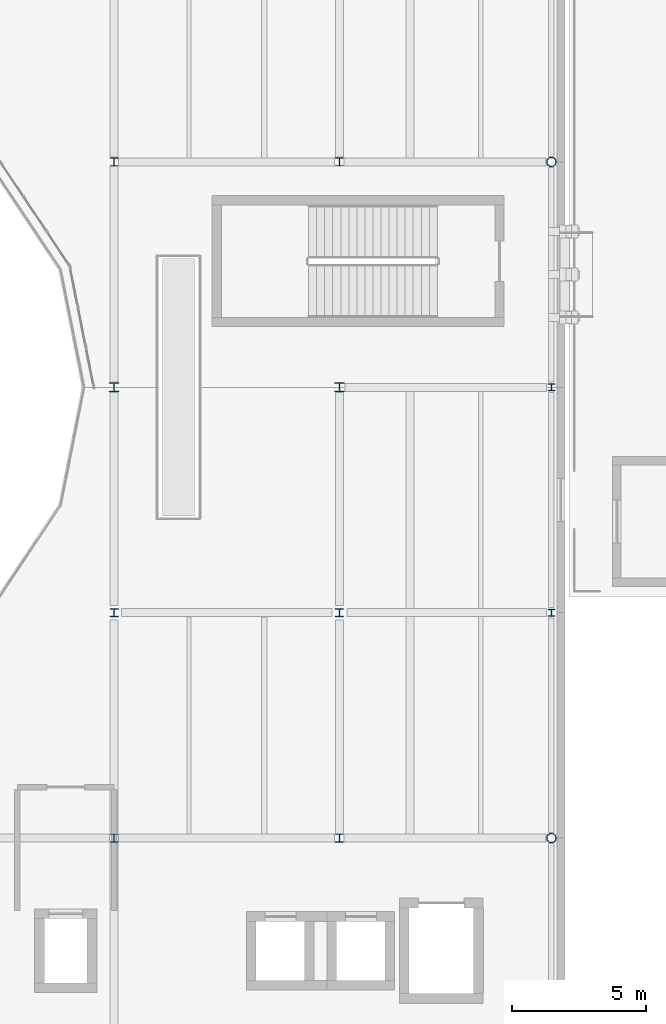
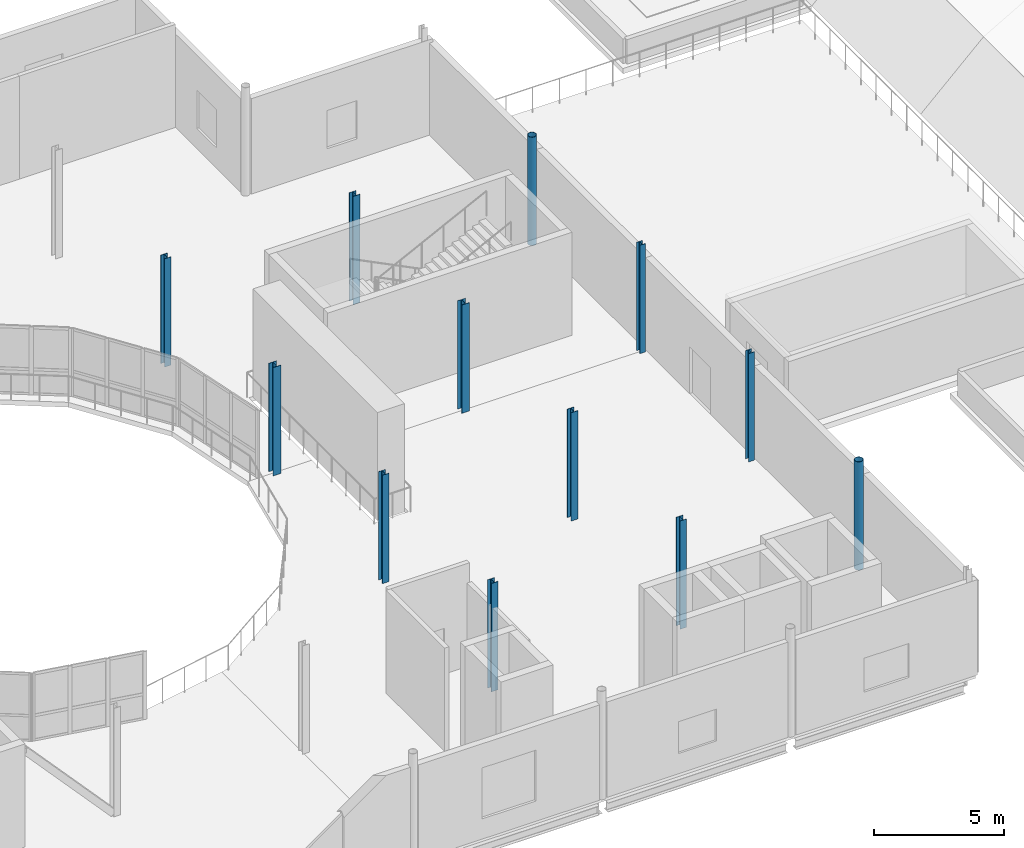
# One storey, part 5 of 91: 12 columns.
"""IFC4 building model written with IfcOpenShell, lengths in metres."""

from ifc_helpers import new_model, si_unit, direction, frame, origin, origin_2d, place, context, subcontext, project, spatial, hollow_circle, i_section, extrude, material, material_profile, profile_set, type_object, element, save


model = new_model("IFC4")

# Units and contexts
model_context = context("Model", 3, precision=1e-05, world=origin(), true_north=direction((0.0, 1.0)))
body_context = subcontext(model_context, "Body", "Model", "MODEL_VIEW")
ifc_project = project(units=[si_unit("LENGTHUNIT", "METRE"), si_unit("AREAUNIT", "SQUARE_METRE"), si_unit("VOLUMEUNIT", "CUBIC_METRE"), si_unit("PLANEANGLEUNIT", "RADIAN"), si_unit("MASSUNIT", "GRAM", prefix="KILO"), si_unit("THERMODYNAMICTEMPERATUREUNIT", "KELVIN")], contexts=[model_context])

# Site, building, storey
site_placement = place(None, origin())
site = spatial("IfcSite", under=ifc_project, at=site_placement, CompositionType="ELEMENT")
building_placement = place(site_placement, origin())
building = spatial("IfcBuilding", under=site, at=building_placement, Name="Lustrewick Department Store", CompositionType="ELEMENT")
storey_placement = place(building_placement, frame((0.0, 0.0, 21.60009765625)))
storey = spatial("IfcBuildingStorey", under=building, at=storey_placement, Name="L05", CompositionType="ELEMENT", Elevation=21.60009765625)

# Columns
ifc_material = material(Name="Structural steel Q355B", Category="steel")
ifc_material_profile_1 = material_profile(ifc_material, i_section(OverallWidth=0.347900390625, OverallDepth=0.343994140625, WebThickness=0.010009765625, FlangeThickness=0.01611328125, FilletRadius=0.02001953125, at=origin_2d()), Name="HW 344x348x10x16")
ifc_profile_set_1 = profile_set([ifc_material_profile_1], Name="Structural steel Q355B")
column_type_1 = type_object("IfcColumnType", Name="C14", PredefinedType="COLUMN", material=ifc_profile_set_1)
for number, where, z_axis, x_axis, name in (
    (1, (42.0, 67.199951171875, 0.0), (0.0, 0.0, 1.0), (1.0, 0.0, 0.0), "L05 V1 Column C14"),
    (2, (50.39990234375, 67.199951171875, 0.0), (0.0, 0.0, 1.0), (1.0, 0.0, 0.0), "L05 V1 Column C14"),
):
    element("IfcColumn", number, at=place(storey_placement, frame(where, z_axis=z_axis, x_axis=x_axis)), inside=storey, type_object=column_type_1, Name=name, PredefinedType="COLUMN", context=body_context, shape_type="SweptSolid", body=[
        extrude(i_section(OverallWidth=0.347900390625, OverallDepth=0.343994140625, WebThickness=0.010009765625, FlangeThickness=0.01611328125, FilletRadius=0.02001953125, at=origin_2d()), origin(), (0.0, 0.0, 1.0), 5.099853515625),
    ])
ifc_material_profile_2 = material_profile(ifc_material, i_section(OverallWidth=0.300048828125, OverallDepth=0.300048828125, WebThickness=0.010009765625, FlangeThickness=0.014892578125, FilletRadius=0.01806640625, at=origin_2d()), Name="HW 300x300x10x15")
ifc_profile_set_2 = profile_set([ifc_material_profile_2], Name="Structural steel Q355B")
column_type_2 = type_object("IfcColumnType", Name="C15", PredefinedType="COLUMN", material=ifc_profile_set_2)
for number, where, z_axis, x_axis, name in (
    (3, (42.0, 50.39990234375, 0.0), (0.0, 0.0, 1.0), (1.0, 0.0, 0.0), "L05 V1 Column C15"),
    (4, (42.0, 58.800048828125, 0.0), (0.0, 0.0, 1.0), (1.0, 0.0, 0.0), "L05 V1 Column C15"),
    (5, (42.0, 75.60009765625, 0.0), (0.0, 0.0, 1.0), (1.0, 0.0, 0.0), "L05 V1 Column C15"),
    (6, (50.39990234375, 50.39990234375, 0.0), (0.0, 0.0, 1.0), (1.0, 0.0, 0.0), "L05 V1 Column C15"),
    (7, (50.39990234375, 58.800048828125, 0.0), (0.0, 0.0, 1.0), (1.0, 0.0, 0.0), "L05 V1 Column C15"),
    (8, (50.39990234375, 75.60009765625, 0.0), (0.0, 0.0, 1.0), (1.0, 0.0, 0.0), "L05 V1 Column C15"),
):
    element("IfcColumn", number, at=place(storey_placement, frame(where, z_axis=z_axis, x_axis=x_axis)), inside=storey, type_object=column_type_2, Name=name, PredefinedType="COLUMN", context=body_context, shape_type="SweptSolid", body=[
        extrude(i_section(OverallWidth=0.300048828125, OverallDepth=0.300048828125, WebThickness=0.010009765625, FlangeThickness=0.014892578125, FilletRadius=0.01806640625, at=origin_2d()), origin(), (0.0, 0.0, 1.0), 5.099853515625),
    ])
ifc_material_profile_3 = material_profile(ifc_material, hollow_circle(Radius=0.177978515625, WallThickness=0.013916015625, at=origin_2d()), Name="CHS 356x14")
ifc_profile_set_3 = profile_set([ifc_material_profile_3], Name="Structural steel Q355B")
column_type_3 = type_object("IfcColumnType", Name="CE05", PredefinedType="COLUMN", material=ifc_profile_set_3)
for number, where, z_axis, x_axis, name in (
    (9, (58.300048828125, 50.39990234375, 0.0), (0.0, 0.0, 1.0), (1.0, 0.0, 0.0), "L05 V1 Column CE05"),
    (10, (58.300048828125, 75.60009765625, 0.0), (0.0, 0.0, 1.0), (1.0, 0.0, 0.0), "L05 V1 Column CE05"),
):
    element("IfcColumn", number, at=place(storey_placement, frame(where, z_axis=z_axis, x_axis=x_axis)), inside=storey, type_object=column_type_3, Name=name, PredefinedType="COLUMN", context=body_context, shape_type="SweptSolid", body=[
        extrude(hollow_circle(Radius=0.177978515625, WallThickness=0.013916015625, at=origin_2d()), origin(), (0.0, 0.0, 1.0), 5.099853515625),
    ])
ifc_material_profile_4 = material_profile(ifc_material, i_section(OverallWidth=0.25, OverallDepth=0.25, WebThickness=0.009033203125, FlangeThickness=0.013916015625, FilletRadius=0.01611328125, at=origin_2d()), Name="HW 250x250x9x14")
ifc_profile_set_4 = profile_set([ifc_material_profile_4], Name="Structural steel Q355B")
column_type_4 = type_object("IfcColumnType", Name="CE08", PredefinedType="COLUMN", material=ifc_profile_set_4)
for number, where, z_axis, x_axis, name in (
    (11, (58.300048828125, 58.800048828125, 0.0), (0.0, 0.0, 1.0), (1.0, 0.0, 0.0), "L05 V1 Column CE08"),
    (12, (58.300048828125, 67.199951171875, 0.0), (0.0, 0.0, 1.0), (1.0, 0.0, 0.0), "L05 V1 Column CE08"),
):
    element("IfcColumn", number, at=place(storey_placement, frame(where, z_axis=z_axis, x_axis=x_axis)), inside=storey, type_object=column_type_4, Name=name, PredefinedType="COLUMN", context=body_context, shape_type="SweptSolid", body=[
        extrude(i_section(OverallWidth=0.25, OverallDepth=0.25, WebThickness=0.009033203125, FlangeThickness=0.013916015625, FilletRadius=0.01611328125, at=origin_2d()), origin(), (0.0, 0.0, 1.0), 5.099853515625),
    ])

save(model, "model.ifc")
